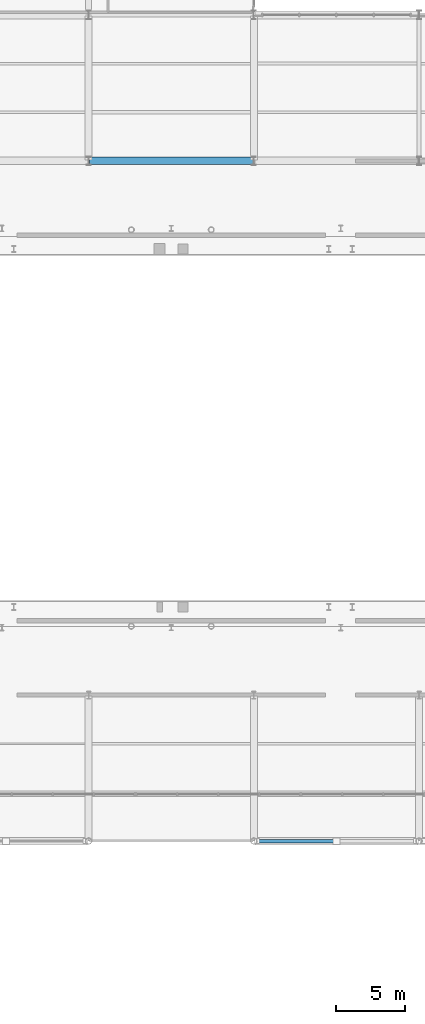
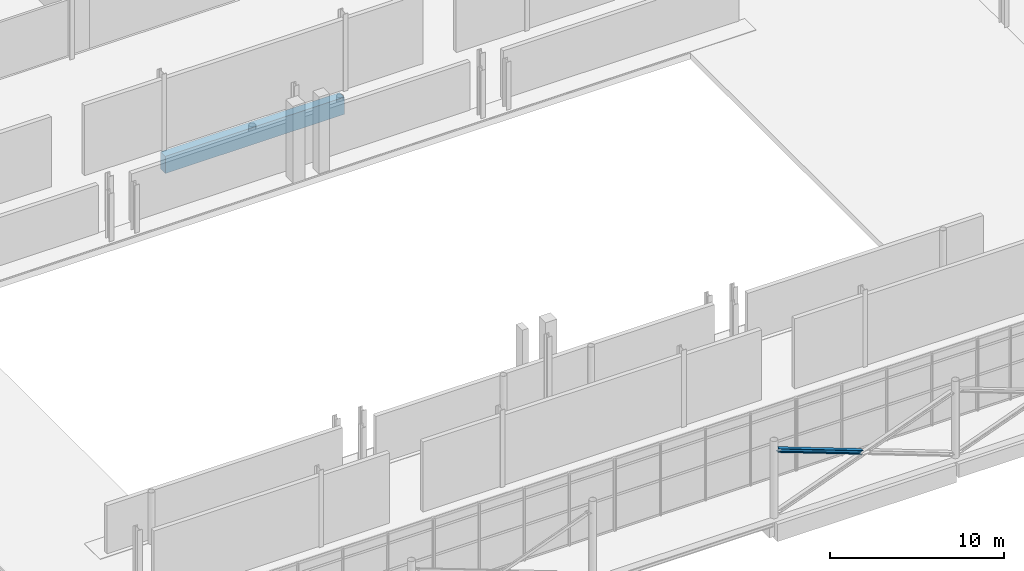
# One storey, part 19 of 85: 1 beam, 1 member.
"""IFC4 building model written with IfcOpenShell, lengths in metres."""

from ifc_helpers import new_model, si_unit, direction, frame, origin, origin_2d, place, context, subcontext, project, spatial, rectangle, i_section, extrude, material, material_profile, profile_set, type_object, element, save


model = new_model("IFC4")

# Units and contexts
model_context = context("Model", 3, precision=1e-05, world=origin(), true_north=direction((0.0, 1.0)))
body_context = subcontext(model_context, "Body", "Model", "MODEL_VIEW")
ifc_project = project(units=[si_unit("LENGTHUNIT", "METRE"), si_unit("AREAUNIT", "SQUARE_METRE"), si_unit("VOLUMEUNIT", "CUBIC_METRE"), si_unit("PLANEANGLEUNIT", "RADIAN"), si_unit("MASSUNIT", "GRAM", prefix="KILO"), si_unit("THERMODYNAMICTEMPERATUREUNIT", "KELVIN"), si_unit("POWERUNIT", "WATT")], contexts=[model_context])

# Site, building, storey
site_placement = place(None, origin())
site = spatial("IfcSite", under=ifc_project, at=site_placement, CompositionType="ELEMENT")
building_placement = place(site_placement, origin())
building = spatial("IfcBuilding", under=site, at=building_placement, Name="Solmara Park Aquatics Centre", CompositionType="ELEMENT")
storey_placement = place(building_placement, origin())
storey = spatial("IfcBuildingStorey", under=building, at=storey_placement, Name="L00", CompositionType="ELEMENT", Elevation=0.0)

# Beam
ifc_material_1 = material(Name="Concrete C40/50", Category="concrete")
ifc_material_profile_1 = material_profile(ifc_material_1, rectangle(XDim=0.550048828125, YDim=1.199951171875, at=origin_2d()), Name="RC 550x1200")
ifc_profile_set_1 = profile_set([ifc_material_profile_1], Name="Concrete C40/50")
beam_type = type_object("IfcBeamType", Name="STR-BM-RC550x1200", PredefinedType="BEAM", material=ifc_profile_set_1)
beam_placement = place(storey_placement, frame((48.679931640625, 62.0, -1.02001953125), z_axis=(1.0, 0.0, 0.0), x_axis=(0.0, 1.0, 0.0)))
element("IfcBeam", 1, at=beam_placement, inside=storey, type_object=beam_type, Name="Girder BM-L00-0010", PredefinedType="BEAM", context=body_context, shape_type="SweptSolid", body=[
    extrude(rectangle(XDim=0.550048828125, YDim=1.199951171875, at=origin_2d()), origin(), (0.0, 0.0, 1.0), 11.840087890625),
])

# Member
ifc_material_2 = material(Name="Structural Steel S355", Category="steel")
ifc_material_profile_2 = material_profile(ifc_material_2, i_section(OverallWidth=0.260009765625, OverallDepth=0.260009765625, WebThickness=0.010009765625, FlangeThickness=0.017578125, FilletRadius=0.02392578125, at=origin_2d()), Name="HEB 260")
ifc_profile_set_2 = profile_set([ifc_material_profile_2], Name="Structural Steel S355")
member_type = type_object("IfcMemberType", Name="STR-BRC-HEB260", PredefinedType="BRACE", material=ifc_profile_set_2)
member_placement = place(storey_placement, frame((66.393798828125, 12.60009765625, 2.52685546875), z_axis=(-0.936849431239, 0.0, 0.349732959824), x_axis=(0.0, -1.0, 0.0)))
element("IfcMember", 2, at=member_placement, inside=storey, type_object=member_type, Name="Split X-Brace Upper Segment BRC-18", PredefinedType="BRACE", context=body_context, shape_type="SweptSolid", body=[
    extrude(i_section(OverallWidth=0.260009765625, OverallDepth=0.260009765625, WebThickness=0.010009765625, FlangeThickness=0.017578125, FilletRadius=0.02392578125, at=origin_2d()), origin(), (0.0, 0.0, 1.0), 5.927978515625),
])

save(model, "model.ifc")
